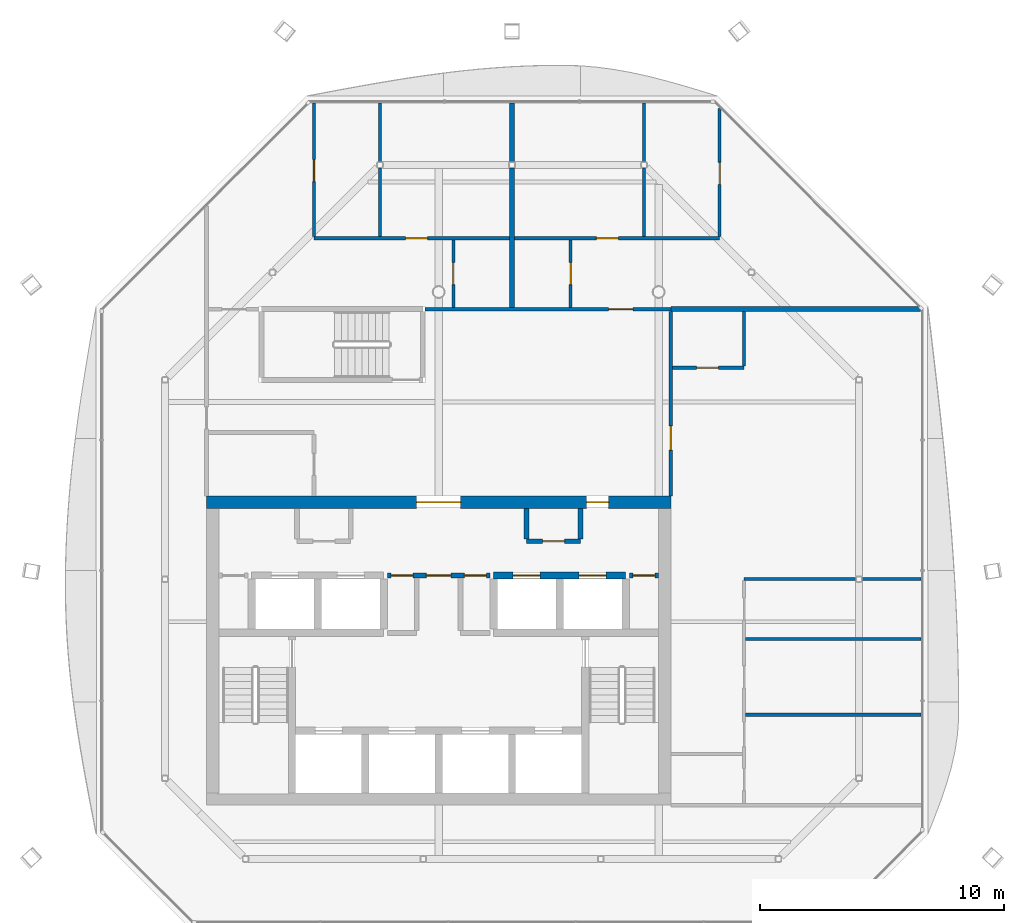
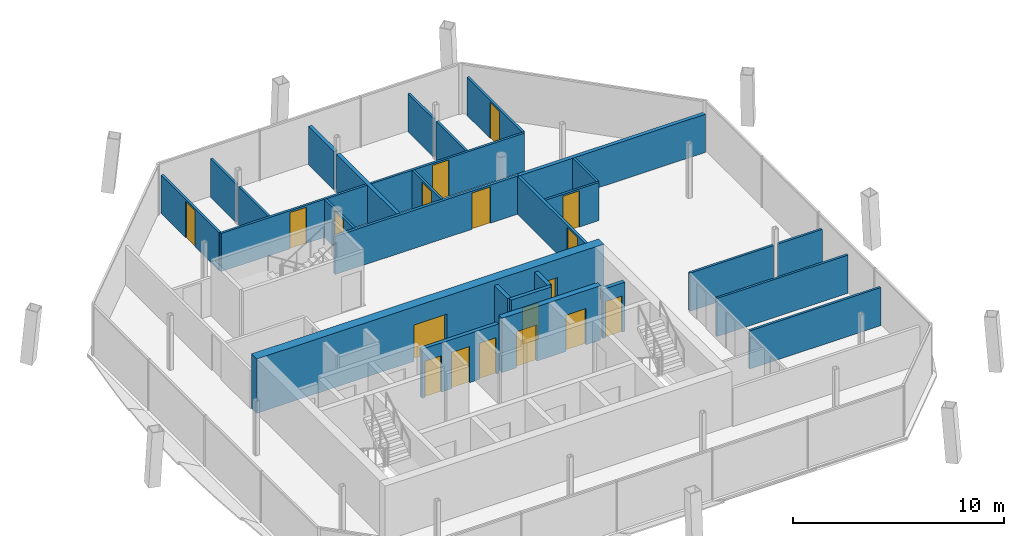
# One storey, part 11 of 16: 27 walls, 18 doors, 18 openings.
"""IFC4 building model written with IfcOpenShell, lengths in metres."""

from ifc_helpers import new_model, si_unit, direction, frame, frame_2d, origin, place, context, subcontext, project, spatial, rectangle, extrude, material, layer, layer_set, type_object, element, fill, save


model = new_model("IFC4")

# Units and contexts
model_context = context("Model", 3, precision=1e-05, world=origin(), true_north=direction((0.0, 1.0)))
body_context = subcontext(model_context, "Body", "Model", "MODEL_VIEW")
ifc_project = project(units=[si_unit("LENGTHUNIT", "METRE"), si_unit("AREAUNIT", "SQUARE_METRE"), si_unit("VOLUMEUNIT", "CUBIC_METRE"), si_unit("PLANEANGLEUNIT", "RADIAN"), si_unit("MASSUNIT", "GRAM", prefix="KILO")], contexts=[model_context])

# Site, building, storey
site_placement = place(None, origin())
site = spatial("IfcSite", under=ifc_project, at=site_placement, CompositionType="ELEMENT")
building_placement = place(site_placement, origin())
building = spatial("IfcBuilding", under=site, at=building_placement, Name="Tskaro Facet Tower", CompositionType="ELEMENT")
storey_placement = place(building_placement, frame((0.0, 0.0, 262.64990234375)))
storey = spatial("IfcBuildingStorey", under=building, at=storey_placement, Name="L69", CompositionType="ELEMENT", Elevation=262.64990234375)

# Wall, openings, doors
ifc_material_1 = material(Name="Concrete C60/75", Category="concrete")
ifc_layer_1 = layer(ifc_material_1, 0.300048828125, Name="Concrete C60/75")
ifc_layer_set_1 = layer_set([ifc_layer_1], Name="Concrete C60/75")
wall_type_1 = type_object("IfcWallType", Name="CORE-SHAFT", PredefinedType="SHEAR", material=ifc_layer_set_1)
wall_1_placement = place(storey_placement, frame((2.25, -2.60009765625, 0.0), z_axis=(0.0, 0.0, 1.0), x_axis=(1.0, 0.0, 0.0)))
wall_1 = element("IfcWall", 1, at=wall_1_placement, inside=storey, type_object=wall_type_1, Name="Shaft wall W015", PredefinedType="SHEAR", context=body_context, shape_type="SweptSolid", body=[
    extrude(rectangle(XDim=5.39990234375, YDim=0.300048828125, at=frame_2d((2.699951171875, 0.0))), origin(), (0.0, 0.0, 1.0), 3.150146484375),
])
opening_1_placement = place(wall_1_placement, frame((0.800048828125, 0.0, 0.0)))
opening_1 = element("IfcOpeningElement", 2, at=opening_1_placement, cuts=wall_1, Name="Opening LD-HB3", PredefinedType="OPENING", context=body_context, shape_type="SweptSolid", body=[
    extrude(rectangle(XDim=1.10009765625, YDim=2.10009765625, at=frame_2d((0.550048828125, 1.050048828125))), frame((0.0, 0.159912109375, 0.0), z_axis=(0.0, -1.0, 0.0), x_axis=(1.0, 0.0, 0.0)), (0.0, 0.0, 1.0), 0.320068359375),
])
opening_2_placement = place(wall_1_placement, frame((3.5, 0.0, 0.0)))
opening_2 = element("IfcOpeningElement", 3, at=opening_2_placement, cuts=wall_1, Name="Opening LD-HB4", PredefinedType="OPENING", context=body_context, shape_type="SweptSolid", body=[
    extrude(rectangle(XDim=1.10009765625, YDim=2.10009765625, at=frame_2d((0.550048828125, 1.050048828125))), frame((0.0, 0.159912109375, 0.0), z_axis=(0.0, -1.0, 0.0), x_axis=(1.0, 0.0, 0.0)), (0.0, 0.0, 1.0), 0.320068359375),
])
ifc_material_2 = material(Name="Stainless steel", Category="steel")
door_type_1 = type_object("IfcDoorType", Name="D-LANDING", OperationType="NOTDEFINED", PredefinedType="DOOR", material=ifc_material_2)
door_1_placement = place(opening_1_placement, origin())
door_1 = element("IfcDoor", 4, at=door_1_placement, inside=storey, type_object=door_type_1, Name="Landing door HB3", OperationType="DOUBLE_DOOR_SLIDING", OverallHeight=2.10009765625, OverallWidth=1.10009765625, PredefinedType="DOOR", context=body_context, shape_type="SweptSolid", body=[
    extrude(rectangle(XDim=1.10009765625, YDim=2.10009765625, at=frame_2d((0.550048828125, 1.050048828125))), frame((0.0, 0.02490234375, 0.0), z_axis=(0.0, -1.0, 0.0), x_axis=(1.0, 0.0, 0.0)), (0.0, 0.0, 1.0), 0.050048828125),
])
fill(opening_1, door_1)
door_2_placement = place(opening_2_placement, origin())
door_2 = element("IfcDoor", 5, at=door_2_placement, inside=storey, type_object=door_type_1, Name="Landing door HB4", OperationType="DOUBLE_DOOR_SLIDING", OverallHeight=2.10009765625, OverallWidth=1.10009765625, PredefinedType="DOOR", context=body_context, shape_type="SweptSolid", body=[
    extrude(rectangle(XDim=1.10009765625, YDim=2.10009765625, at=frame_2d((0.550048828125, 1.050048828125))), frame((0.0, 0.02490234375, 0.0), z_axis=(0.0, -1.0, 0.0), x_axis=(1.0, 0.0, 0.0)), (0.0, 0.0, 1.0), 0.050048828125),
])
fill(opening_2, door_2)

ifc_material_3 = material(Name="Concrete C20/25", Category="concrete")
ifc_layer_2 = layer(ifc_material_3, 0.199951171875, Name="Concrete C20/25")
ifc_layer_set_2 = layer_set([ifc_layer_2], Name="Concrete C20/25")
wall_type_2 = type_object("IfcWallType", Name="CORE-WALL", PredefinedType="SOLIDWALL", material=ifc_layer_set_2)
wall_2_placement = place(storey_placement, frame((2.10009765625, -2.60009765625, 0.0), z_axis=(0.0, 0.0, 1.0), x_axis=(-1.0, 0.0, 0.0)))
wall_2 = element("IfcWall", 6, at=wall_2_placement, inside=storey, type_object=wall_type_2, Name="Core room wall W014", PredefinedType="SOLIDWALL", context=body_context, shape_type="SweptSolid", body=[
    extrude(rectangle(XDim=4.2001953125, YDim=0.199951171875, at=frame_2d((2.10009765625, 0.0))), origin(), (0.0, 0.0, 1.0), 2.85009765625),
])
opening_3_placement = place(wall_2_placement, frame((1.60009765625, 0.0, 0.0)))
opening_3 = element("IfcOpeningElement", 7, at=opening_3_placement, cuts=wall_2, Name="Opening FL-D1", PredefinedType="OPENING", context=body_context, shape_type="SweptSolid", body=[
    extrude(rectangle(XDim=1.0, YDim=2.10009765625, at=frame_2d((0.5, 1.050048828125))), frame((0.0, 0.10986328125, 0.0), z_axis=(0.0, -1.0, 0.0), x_axis=(1.0, 0.0, 0.0)), (0.0, 0.0, 1.0), 0.219970703125),
])
opening_4_placement = place(wall_2_placement, frame((3.14990234375, 0.0, 0.0)))
opening_4 = element("IfcOpeningElement", 8, at=opening_4_placement, cuts=wall_2, Name="Opening T20-D06", PredefinedType="OPENING", context=body_context, shape_type="SweptSolid", body=[
    extrude(rectangle(XDim=0.89990234375, YDim=2.10009765625, at=frame_2d((0.449951171875, 1.050048828125))), frame((0.0, 0.10986328125, 0.0), z_axis=(0.0, -1.0, 0.0), x_axis=(1.0, 0.0, 0.0)), (0.0, 0.0, 1.0), 0.219970703125),
])
opening_5_placement = place(wall_2_placement, frame((0.14990234375, 0.0, 0.0)))
opening_5 = element("IfcOpeningElement", 9, at=opening_5_placement, cuts=wall_2, Name="Opening T20-D07", PredefinedType="OPENING", context=body_context, shape_type="SweptSolid", body=[
    extrude(rectangle(XDim=0.89990234375, YDim=2.10009765625, at=frame_2d((0.449951171875, 1.050048828125))), frame((0.0, 0.10986328125, 0.0), z_axis=(0.0, -1.0, 0.0), x_axis=(1.0, 0.0, 0.0)), (0.0, 0.0, 1.0), 0.219970703125),
])
ifc_material_4 = material(Name="Steel", Category="steel")
door_type_2 = type_object("IfcDoorType", Name="D-LOBBY", OperationType="NOTDEFINED", PredefinedType="DOOR", material=ifc_material_4)
door_3_placement = place(opening_3_placement, origin())
door_3 = element("IfcDoor", 10, at=door_3_placement, inside=storey, type_object=door_type_2, Name="Lobby door FL", OperationType="SINGLE_SWING_RIGHT", OverallHeight=2.10009765625, OverallWidth=1.0, PredefinedType="DOOR", context=body_context, shape_type="SweptSolid", body=[
    extrude(rectangle(XDim=1.0, YDim=2.10009765625, at=frame_2d((0.5, 1.050048828125))), frame((0.0, 0.02490234375, 0.0), z_axis=(0.0, -1.0, 0.0), x_axis=(1.0, 0.0, 0.0)), (0.0, 0.0, 1.0), 0.050048828125),
])
fill(opening_3, door_3)
ifc_material_5 = material(Name="Timber", Category="wood")
door_type_3 = type_object("IfcDoorType", Name="D-ROOM", OperationType="NOTDEFINED", PredefinedType="DOOR", material=ifc_material_5)
door_4_placement = place(opening_4_placement, origin())
door_4 = element("IfcDoor", 11, at=door_4_placement, inside=storey, type_object=door_type_3, Name="Door T20-D06", OperationType="SINGLE_SWING_RIGHT", OverallHeight=2.10009765625, OverallWidth=0.89990234375, PredefinedType="DOOR", context=body_context, shape_type="SweptSolid", body=[
    extrude(rectangle(XDim=0.89990234375, YDim=2.10009765625, at=frame_2d((0.449951171875, 1.050048828125))), frame((0.0, 0.02490234375, 0.0), z_axis=(0.0, -1.0, 0.0), x_axis=(1.0, 0.0, 0.0)), (0.0, 0.0, 1.0), 0.050048828125),
])
fill(opening_4, door_4)
door_5_placement = place(opening_5_placement, origin())
door_5 = element("IfcDoor", 12, at=door_5_placement, inside=storey, type_object=door_type_3, Name="Door T20-D07", OperationType="SINGLE_SWING_RIGHT", OverallHeight=2.10009765625, OverallWidth=0.89990234375, PredefinedType="DOOR", context=body_context, shape_type="SweptSolid", body=[
    extrude(rectangle(XDim=0.89990234375, YDim=2.10009765625, at=frame_2d((0.449951171875, 1.050048828125))), frame((0.0, 0.02490234375, 0.0), z_axis=(0.0, -1.0, 0.0), x_axis=(1.0, 0.0, 0.0)), (0.0, 0.0, 1.0), 0.050048828125),
])
fill(opening_5, door_5)

# Wall, opening, door
wall_3_placement = place(storey_placement, frame((9.0, -2.60009765625, 0.0), z_axis=(0.0, 0.0, 1.0), x_axis=(-1.0, 0.0, 0.0)))
wall_3 = element("IfcWall", 13, at=wall_3_placement, inside=storey, type_object=wall_type_2, Name="Core room wall W016", PredefinedType="SOLIDWALL", context=body_context, shape_type="SweptSolid", body=[
    extrude(rectangle(XDim=1.199951171875, YDim=0.199951171875, at=frame_2d((0.60009765625, 0.0))), origin(), (0.0, 0.0, 1.0), 2.85009765625),
])
opening_6_placement = place(wall_3_placement, frame((0.14990234375, 0.0, 0.0)))
opening_6 = element("IfcOpeningElement", 14, at=opening_6_placement, cuts=wall_3, Name="Opening T20-D08", PredefinedType="OPENING", context=body_context, shape_type="SweptSolid", body=[
    extrude(rectangle(XDim=0.89990234375, YDim=2.10009765625, at=frame_2d((0.449951171875, 1.050048828125))), frame((0.0, 0.10986328125, 0.0), z_axis=(0.0, -1.0, 0.0), x_axis=(1.0, 0.0, 0.0)), (0.0, 0.0, 1.0), 0.219970703125),
])
door_6_placement = place(opening_6_placement, origin())
door_6 = element("IfcDoor", 15, at=door_6_placement, inside=storey, type_object=door_type_3, Name="Door T20-D08", OperationType="SINGLE_SWING_RIGHT", OverallHeight=2.10009765625, OverallWidth=0.89990234375, PredefinedType="DOOR", context=body_context, shape_type="SweptSolid", body=[
    extrude(rectangle(XDim=0.89990234375, YDim=2.10009765625, at=frame_2d((0.449951171875, 1.050048828125))), frame((0.0, 0.02490234375, 0.0), z_axis=(0.0, -1.0, 0.0), x_axis=(1.0, 0.0, 0.0)), (0.0, 0.0, 1.0), 0.050048828125),
])
fill(opening_6, door_6)

wall_4_placement = place(storey_placement, frame((3.60009765625, -1.199951171875, 0.0), z_axis=(0.0, 0.0, 1.0), x_axis=(1.0, 0.0, 0.0)))
wall_4 = element("IfcWall", 16, at=wall_4_placement, inside=storey, type_object=wall_type_2, Name="Core room wall W018", PredefinedType="SOLIDWALL", context=body_context, shape_type="SweptSolid", body=[
    extrude(rectangle(XDim=2.199951171875, YDim=0.199951171875, at=frame_2d((1.10009765625, 0.0))), origin(), (0.0, 0.0, 1.0), 2.85009765625),
])
opening_7_placement = place(wall_4_placement, frame((0.64990234375, 0.0, 0.0)))
opening_7 = element("IfcOpeningElement", 17, at=opening_7_placement, cuts=wall_4, Name="Opening T20-D10", PredefinedType="OPENING", context=body_context, shape_type="SweptSolid", body=[
    extrude(rectangle(XDim=0.89990234375, YDim=2.10009765625, at=frame_2d((0.449951171875, 1.050048828125))), frame((0.0, 0.10986328125, 0.0), z_axis=(0.0, -1.0, 0.0), x_axis=(1.0, 0.0, 0.0)), (0.0, 0.0, 1.0), 0.219970703125),
])
door_7_placement = place(opening_7_placement, origin())
door_7 = element("IfcDoor", 18, at=door_7_placement, inside=storey, type_object=door_type_3, Name="Door T20-D10", OperationType="SINGLE_SWING_LEFT", OverallHeight=2.10009765625, OverallWidth=0.89990234375, PredefinedType="DOOR", context=body_context, shape_type="SweptSolid", body=[
    extrude(rectangle(XDim=0.89990234375, YDim=2.10009765625, at=frame_2d((0.449951171875, 1.050048828125))), frame((0.0, 0.02490234375, 0.0), z_axis=(0.0, -1.0, 0.0), x_axis=(1.0, 0.0, 0.0)), (0.0, 0.0, 1.0), 0.050048828125),
])
fill(opening_7, door_7)

# Walls
for number, where, z_axis, x_axis, name in (
    (19, (3.60009765625, -1.10009765625, 0.0), (0.0, 0.0, 1.0), (0.0, 1.0, 0.0), "Core room wall W049"),
    (20, (5.800048828125, -1.10009765625, 0.0), (0.0, 0.0, 1.0), (0.0, 1.0, 0.0), "Core room wall W052"),
):
    element("IfcWall", number, at=place(storey_placement, frame(where, z_axis=z_axis, x_axis=x_axis)), inside=storey, type_object=wall_type_2, Name=name, PredefinedType="SOLIDWALL", context=body_context, shape_type="SweptSolid", body=[
        extrude(rectangle(XDim=1.25, YDim=0.199951171875, at=frame_2d((0.625, 0.0))), origin(), (0.0, 0.0, 1.0), 2.85009765625),
    ])

# Wall, openings, doors
ifc_material_6 = material(Name="Concrete C40/50", Category="concrete")
ifc_layer_3 = layer(ifc_material_6, 0.5, Name="Concrete C40/50")
ifc_layer_set_3 = layer_set([ifc_layer_3], Name="Concrete C40/50")
wall_type_3 = type_object("IfcWallType", Name="Core wall 500", PredefinedType="SHEAR", material=ifc_layer_set_3)
wall_5_placement = place(storey_placement, frame((-9.5, 0.39990234375, 0.0), z_axis=(0.0, 0.0, 1.0), x_axis=(1.0, 0.0, 0.0)))
wall_5 = element("IfcWall", 21, at=wall_5_placement, inside=storey, type_object=wall_type_3, Name="Core wall CW-Z3N", PredefinedType="SHEAR", context=body_context, shape_type="SweptSolid", body=[
    extrude(rectangle(XDim=19.0, YDim=0.5, at=frame_2d((9.5, 0.0))), origin(), (0.0, 0.0, 1.0), 3.150146484375),
])
opening_8_placement = place(wall_5_placement, frame((8.60009765625, 0.0, 0.0)))
opening_8 = element("IfcOpeningElement", 22, at=opening_8_placement, cuts=wall_5, Name="Opening T20-D11", PredefinedType="OPENING", context=body_context, shape_type="SweptSolid", body=[
    extrude(rectangle(XDim=1.800048828125, YDim=2.10009765625, at=frame_2d((0.89990234375, 1.050048828125))), frame((0.0, 0.260009765625, 0.0), z_axis=(0.0, -1.0, 0.0), x_axis=(1.0, 0.0, 0.0)), (0.0, 0.0, 1.0), 0.52001953125),
])
opening_9_placement = place(wall_5_placement, frame((15.550048828125, 0.0, 0.0)))
opening_9 = element("IfcOpeningElement", 23, at=opening_9_placement, cuts=wall_5, Name="Opening T20-D12", PredefinedType="OPENING", context=body_context, shape_type="SweptSolid", body=[
    extrude(rectangle(XDim=0.89990234375, YDim=2.10009765625, at=frame_2d((0.449951171875, 1.050048828125))), frame((0.0, 0.260009765625, 0.0), z_axis=(0.0, -1.0, 0.0), x_axis=(1.0, 0.0, 0.0)), (0.0, 0.0, 1.0), 0.52001953125),
])
door_type_4 = type_object("IfcDoorType", Name="D-CORE-PAIR", OperationType="NOTDEFINED", PredefinedType="DOOR", material=ifc_material_4)
door_8_placement = place(opening_8_placement, origin())
door_8 = element("IfcDoor", 24, at=door_8_placement, inside=storey, type_object=door_type_4, Name="Door T20-D11", OperationType="DOUBLE_DOOR_SINGLE_SWING", OverallHeight=2.10009765625, OverallWidth=1.800048828125, PredefinedType="DOOR", context=body_context, shape_type="SweptSolid", body=[
    extrude(rectangle(XDim=1.800048828125, YDim=2.10009765625, at=frame_2d((0.89990234375, 1.050048828125))), frame((0.0, 0.02490234375, 0.0), z_axis=(0.0, -1.0, 0.0), x_axis=(1.0, 0.0, 0.0)), (0.0, 0.0, 1.0), 0.050048828125),
])
fill(opening_8, door_8)
door_9_placement = place(opening_9_placement, origin())
door_9 = element("IfcDoor", 25, at=door_9_placement, inside=storey, type_object=door_type_3, Name="Door T20-D12", OperationType="SINGLE_SWING_LEFT", OverallHeight=2.10009765625, OverallWidth=0.89990234375, PredefinedType="DOOR", context=body_context, shape_type="SweptSolid", body=[
    extrude(rectangle(XDim=0.89990234375, YDim=2.10009765625, at=frame_2d((0.449951171875, 1.050048828125))), frame((0.0, 0.02490234375, 0.0), z_axis=(0.0, -1.0, 0.0), x_axis=(1.0, 0.0, 0.0)), (0.0, 0.0, 1.0), 0.050048828125),
])
fill(opening_9, door_9)

# Walls
ifc_material_7 = material(Name="Gypsum board on steel studs", Category="steel")
ifc_layer_4 = layer(ifc_material_7, 0.125, Name="Gypsum board on steel studs")
ifc_layer_set_4 = layer_set([ifc_layer_4], Name="Gypsum board on steel studs")
wall_type_4 = type_object("IfcWallType", Name="PART", PredefinedType="PARTITIONING", material=ifc_layer_set_4)
for number, where, z_axis, x_axis, name in (
    (26, (12.5625, -8.300048828125, 0.0), (0.0, 0.0, 1.0), (1.0, 0.0, 0.0), "Partition W004"),
    (27, (12.5625, -5.199951171875, 0.0), (0.0, 0.0, 1.0), (1.0, 0.0, 0.0), "Partition W005"),
):
    element("IfcWall", number, at=place(storey_placement, frame(where, z_axis=z_axis, x_axis=x_axis)), inside=storey, type_object=wall_type_4, Name=name, PredefinedType="PARTITIONING", context=body_context, shape_type="SweptSolid", body=[
        extrude(rectangle(XDim=7.180419921875, YDim=0.125, at=frame_2d((3.59033203125, 0.0))), origin(), (0.0, 0.0, 1.0), 2.210205078125),
    ])
wall_6_placement = place(storey_placement, frame((12.5, -2.75, 0.0), z_axis=(0.0, 0.0, 1.0), x_axis=(1.0, 0.0, 0.0)))
element("IfcWall", 28, at=wall_6_placement, inside=storey, type_object=wall_type_4, Name="Partition W010", PredefinedType="PARTITIONING", context=body_context, shape_type="SweptSolid", body=[
    extrude(rectangle(XDim=4.574951171875, YDim=0.125, at=frame_2d((2.28759765625, 0.0))), origin(), (0.0, 0.0, 1.0), 2.210205078125),
])
wall_7_placement = place(storey_placement, frame((17.324951171875, -2.75, 0.0), z_axis=(0.0, 0.0, 1.0), x_axis=(1.0, 0.0, 0.0)))
element("IfcWall", 29, at=wall_7_placement, inside=storey, type_object=wall_type_4, Name="Partition W011", PredefinedType="PARTITIONING", context=body_context, shape_type="SweptSolid", body=[
    extrude(rectangle(XDim=2.41796875, YDim=0.125, at=frame_2d((1.208984375, 0.0))), origin(), (0.0, 0.0, 1.0), 2.210205078125),
])

# Wall, opening, door
wall_8_placement = place(storey_placement, frame((9.574951171875, 5.89990234375, 0.0), z_axis=(0.0, 0.0, 1.0), x_axis=(1.0, 0.0, 0.0)))
wall_8 = element("IfcWall", 30, at=wall_8_placement, inside=storey, type_object=wall_type_4, Name="Partition W021", PredefinedType="PARTITIONING", context=body_context, shape_type="SweptSolid", body=[
    extrude(rectangle(XDim=2.925048828125, YDim=0.125, at=frame_2d((1.46240234375, 0.0))), origin(), (0.0, 0.0, 1.0), 2.210205078125),
])
opening_10_placement = place(wall_8_placement, frame((0.97509765625, 0.0, 0.0)))
opening_10 = element("IfcOpeningElement", 31, at=opening_10_placement, cuts=wall_8, Name="Opening T20-D16", PredefinedType="OPENING", context=body_context, shape_type="SweptSolid", body=[
    extrude(rectangle(XDim=0.89990234375, YDim=2.10009765625, at=frame_2d((0.449951171875, 1.050048828125))), frame((0.0, 0.072509765625, 0.0), z_axis=(0.0, -1.0, 0.0), x_axis=(1.0, 0.0, 0.0)), (0.0, 0.0, 1.0), 0.14501953125),
])
door_10_placement = place(opening_10_placement, origin())
door_10 = element("IfcDoor", 32, at=door_10_placement, inside=storey, type_object=door_type_3, Name="Door T20-D16", OperationType="SINGLE_SWING_LEFT", OverallHeight=2.10009765625, OverallWidth=0.89990234375, PredefinedType="DOOR", context=body_context, shape_type="SweptSolid", body=[
    extrude(rectangle(XDim=0.89990234375, YDim=2.10009765625, at=frame_2d((0.449951171875, 1.050048828125))), frame((0.0, 0.02490234375, 0.0), z_axis=(0.0, -1.0, 0.0), x_axis=(1.0, 0.0, 0.0)), (0.0, 0.0, 1.0), 0.050048828125),
])
fill(opening_10, door_10)

# Wall, openings, doors
wall_9_placement = place(storey_placement, frame((-5.10009765625, 11.199951171875, 0.0), z_axis=(0.0, 0.0, 1.0), x_axis=(1.0, 0.0, 0.0)))
wall_9 = element("IfcWall", 33, at=wall_9_placement, inside=storey, type_object=wall_type_4, Name="Partition W026", PredefinedType="PARTITIONING", context=body_context, shape_type="SweptSolid", body=[
    extrude(rectangle(XDim=16.60009765625, YDim=0.125, at=frame_2d((8.300048828125, 0.0))), origin(), (0.0, 0.0, 1.0), 2.210205078125),
])
opening_11_placement = place(wall_9_placement, frame((3.74755859375, 0.0, 0.0)))
opening_11 = element("IfcOpeningElement", 34, at=opening_11_placement, cuts=wall_9, Name="Opening T20-D21", PredefinedType="OPENING", context=body_context, shape_type="SweptSolid", body=[
    extrude(rectangle(XDim=0.89990234375, YDim=2.10009765625, at=frame_2d((0.449951171875, 1.050048828125))), frame((0.0, 0.072509765625, 0.0), z_axis=(0.0, -1.0, 0.0), x_axis=(1.0, 0.0, 0.0)), (0.0, 0.0, 1.0), 0.14501953125),
])
opening_12_placement = place(wall_9_placement, frame((11.552490234375, 0.0, 0.0)))
opening_12 = element("IfcOpeningElement", 35, at=opening_12_placement, cuts=wall_9, Name="Opening T20-D22", PredefinedType="OPENING", context=body_context, shape_type="SweptSolid", body=[
    extrude(rectangle(XDim=0.89990234375, YDim=2.10009765625, at=frame_2d((0.449951171875, 1.050048828125))), frame((0.0, 0.072509765625, 0.0), z_axis=(0.0, -1.0, 0.0), x_axis=(1.0, 0.0, 0.0)), (0.0, 0.0, 1.0), 0.14501953125),
])
door_11_placement = place(opening_11_placement, origin())
door_11 = element("IfcDoor", 36, at=door_11_placement, inside=storey, type_object=door_type_3, Name="Door T20-D21", OperationType="SINGLE_SWING_LEFT", OverallHeight=2.10009765625, OverallWidth=0.89990234375, PredefinedType="DOOR", context=body_context, shape_type="SweptSolid", body=[
    extrude(rectangle(XDim=0.89990234375, YDim=2.10009765625, at=frame_2d((0.449951171875, 1.050048828125))), frame((0.0, 0.02490234375, 0.0), z_axis=(0.0, -1.0, 0.0), x_axis=(1.0, 0.0, 0.0)), (0.0, 0.0, 1.0), 0.050048828125),
])
fill(opening_11, door_11)
door_12_placement = place(opening_12_placement, origin())
door_12 = element("IfcDoor", 37, at=door_12_placement, inside=storey, type_object=door_type_3, Name="Door T20-D22", OperationType="SINGLE_SWING_LEFT", OverallHeight=2.10009765625, OverallWidth=0.89990234375, PredefinedType="DOOR", context=body_context, shape_type="SweptSolid", body=[
    extrude(rectangle(XDim=0.89990234375, YDim=2.10009765625, at=frame_2d((0.449951171875, 1.050048828125))), frame((0.0, 0.02490234375, 0.0), z_axis=(0.0, -1.0, 0.0), x_axis=(1.0, 0.0, 0.0)), (0.0, 0.0, 1.0), 0.050048828125),
])
fill(opening_12, door_12)

# Wall, opening, door
wall_10_placement = place(storey_placement, frame((-5.10009765625, 16.742919921875, 0.0), z_axis=(0.0, 0.0, 1.0), x_axis=(0.0, -1.0, 0.0)))
wall_10 = element("IfcWall", 38, at=wall_10_placement, inside=storey, type_object=wall_type_4, Name="Partition W033", PredefinedType="PARTITIONING", context=body_context, shape_type="SweptSolid", body=[
    extrude(rectangle(XDim=5.48046875, YDim=0.125, at=frame_2d((2.740234375, 0.0))), origin(), (0.0, 0.0, 1.0), 2.210205078125),
])
opening_13_placement = place(wall_10_placement, frame((2.321533203125, 0.0, 0.0)))
opening_13 = element("IfcOpeningElement", 39, at=opening_13_placement, cuts=wall_10, Name="Opening T20-D24", PredefinedType="OPENING", context=body_context, shape_type="SweptSolid", body=[
    extrude(rectangle(XDim=0.89990234375, YDim=2.10009765625, at=frame_2d((0.449951171875, 1.050048828125))), frame((0.0, 0.072509765625, 0.0), z_axis=(0.0, -1.0, 0.0), x_axis=(1.0, 0.0, 0.0)), (0.0, 0.0, 1.0), 0.14501953125),
])
door_13_placement = place(opening_13_placement, origin())
door_13 = element("IfcDoor", 40, at=door_13_placement, inside=storey, type_object=door_type_3, Name="Door T20-D24", OperationType="SINGLE_SWING_RIGHT", OverallHeight=2.10009765625, OverallWidth=0.89990234375, PredefinedType="DOOR", context=body_context, shape_type="SweptSolid", body=[
    extrude(rectangle(XDim=0.89990234375, YDim=2.10009765625, at=frame_2d((0.449951171875, 1.050048828125))), frame((0.0, 0.02490234375, 0.0), z_axis=(0.0, -1.0, 0.0), x_axis=(1.0, 0.0, 0.0)), (0.0, 0.0, 1.0), 0.050048828125),
])
fill(opening_13, door_13)

# Walls
wall_11_placement = place(storey_placement, frame((-2.405029296875, 11.262451171875, 0.0), z_axis=(0.0, 0.0, 1.0), x_axis=(0.0, 1.0, 0.0)))
element("IfcWall", 41, at=wall_11_placement, inside=storey, type_object=wall_type_4, Name="Partition W037", PredefinedType="PARTITIONING", context=body_context, shape_type="SweptSolid", body=[
    extrude(rectangle(XDim=2.8125, YDim=0.125, at=frame_2d((1.40625, 0.0))), origin(), (0.0, 0.0, 1.0), 2.210205078125),
])
wall_12_placement = place(storey_placement, frame((-2.405029296875, 14.324951171875, 0.0), z_axis=(0.0, 0.0, 1.0), x_axis=(0.0, 1.0, 0.0)))
element("IfcWall", 42, at=wall_12_placement, inside=storey, type_object=wall_type_4, Name="Partition W038", PredefinedType="PARTITIONING", context=body_context, shape_type="SweptSolid", body=[
    extrude(rectangle(XDim=2.41796875, YDim=0.125, at=frame_2d((1.208984375, 0.0))), origin(), (0.0, 0.0, 1.0), 2.210205078125),
])

# Wall, opening, door
wall_13_placement = place(storey_placement, frame((0.60009765625, 11.137451171875, 0.0), z_axis=(0.0, 0.0, 1.0), x_axis=(0.0, -1.0, 0.0)))
wall_13 = element("IfcWall", 43, at=wall_13_placement, inside=storey, type_object=wall_type_4, Name="Partition W043", PredefinedType="PARTITIONING", context=body_context, shape_type="SweptSolid", body=[
    extrude(rectangle(XDim=2.762451171875, YDim=0.125, at=frame_2d((1.38134765625, 0.0))), origin(), (0.0, 0.0, 1.0), 2.210205078125),
])
opening_14_placement = place(wall_13_placement, frame((0.9375, 0.0, 0.0)))
opening_14 = element("IfcOpeningElement", 44, at=opening_14_placement, cuts=wall_13, Name="Opening T20-D19", PredefinedType="OPENING", context=body_context, shape_type="SweptSolid", body=[
    extrude(rectangle(XDim=0.89990234375, YDim=2.10009765625, at=frame_2d((0.449951171875, 1.050048828125))), frame((0.0, 0.072509765625, 0.0), z_axis=(0.0, -1.0, 0.0), x_axis=(1.0, 0.0, 0.0)), (0.0, 0.0, 1.0), 0.14501953125),
])
door_14_placement = place(opening_14_placement, origin())
door_14 = element("IfcDoor", 45, at=door_14_placement, inside=storey, type_object=door_type_3, Name="Door T20-D19", OperationType="SINGLE_SWING_RIGHT", OverallHeight=2.10009765625, OverallWidth=0.89990234375, PredefinedType="DOOR", context=body_context, shape_type="SweptSolid", body=[
    extrude(rectangle(XDim=0.89990234375, YDim=2.10009765625, at=frame_2d((0.449951171875, 1.050048828125))), frame((0.0, 0.02490234375, 0.0), z_axis=(0.0, -1.0, 0.0), x_axis=(1.0, 0.0, 0.0)), (0.0, 0.0, 1.0), 0.050048828125),
])
fill(opening_14, door_14)

wall_14_placement = place(storey_placement, frame((5.39990234375, 8.375, 0.0), z_axis=(0.0, 0.0, 1.0), x_axis=(0.0, 1.0, 0.0)))
wall_14 = element("IfcWall", 46, at=wall_14_placement, inside=storey, type_object=wall_type_4, Name="Partition W051", PredefinedType="PARTITIONING", context=body_context, shape_type="SweptSolid", body=[
    extrude(rectangle(XDim=2.762451171875, YDim=0.125, at=frame_2d((1.38134765625, 0.0))), origin(), (0.0, 0.0, 1.0), 2.210205078125),
])
opening_15_placement = place(wall_14_placement, frame((0.925048828125, 0.0, 0.0)))
opening_15 = element("IfcOpeningElement", 47, at=opening_15_placement, cuts=wall_14, Name="Opening T20-D20", PredefinedType="OPENING", context=body_context, shape_type="SweptSolid", body=[
    extrude(rectangle(XDim=0.89990234375, YDim=2.10009765625, at=frame_2d((0.449951171875, 1.050048828125))), frame((0.0, 0.072509765625, 0.0), z_axis=(0.0, -1.0, 0.0), x_axis=(1.0, 0.0, 0.0)), (0.0, 0.0, 1.0), 0.14501953125),
])
door_15_placement = place(opening_15_placement, origin())
door_15 = element("IfcDoor", 48, at=door_15_placement, inside=storey, type_object=door_type_3, Name="Door T20-D20", OperationType="SINGLE_SWING_LEFT", OverallHeight=2.10009765625, OverallWidth=0.89990234375, PredefinedType="DOOR", context=body_context, shape_type="SweptSolid", body=[
    extrude(rectangle(XDim=0.89990234375, YDim=2.10009765625, at=frame_2d((0.449951171875, 1.050048828125))), frame((0.0, 0.02490234375, 0.0), z_axis=(0.0, -1.0, 0.0), x_axis=(1.0, 0.0, 0.0)), (0.0, 0.0, 1.0), 0.050048828125),
])
fill(opening_15, door_15)

# Walls
wall_15_placement = place(storey_placement, frame((8.405029296875, 11.262451171875, 0.0), z_axis=(0.0, 0.0, 1.0), x_axis=(0.0, 1.0, 0.0)))
element("IfcWall", 49, at=wall_15_placement, inside=storey, type_object=wall_type_4, Name="Partition W055", PredefinedType="PARTITIONING", context=body_context, shape_type="SweptSolid", body=[
    extrude(rectangle(XDim=2.8125, YDim=0.125, at=frame_2d((1.40625, 0.0))), origin(), (0.0, 0.0, 1.0), 2.210205078125),
])
wall_16_placement = place(storey_placement, frame((8.405029296875, 14.324951171875, 0.0), z_axis=(0.0, 0.0, 1.0), x_axis=(0.0, 1.0, 0.0)))
element("IfcWall", 50, at=wall_16_placement, inside=storey, type_object=wall_type_4, Name="Partition W056", PredefinedType="PARTITIONING", context=body_context, shape_type="SweptSolid", body=[
    extrude(rectangle(XDim=2.41796875, YDim=0.125, at=frame_2d((1.208984375, 0.0))), origin(), (0.0, 0.0, 1.0), 2.210205078125),
])

# Wall, opening, door
wall_17_placement = place(storey_placement, frame((11.5, 11.262451171875, 0.0), z_axis=(0.0, 0.0, 1.0), x_axis=(0.0, 1.0, 0.0)))
wall_17 = element("IfcWall", 51, at=wall_17_placement, inside=storey, type_object=wall_type_4, Name="Partition W058", PredefinedType="PARTITIONING", context=body_context, shape_type="SweptSolid", body=[
    extrude(rectangle(XDim=5.24755859375, YDim=0.125, at=frame_2d((2.623779296875, 0.0))), origin(), (0.0, 0.0, 1.0), 2.210205078125),
])
opening_16_placement = place(wall_17_placement, frame((2.142578125, 0.0, 0.0)))
opening_16 = element("IfcOpeningElement", 52, at=opening_16_placement, cuts=wall_17, Name="Opening T20-D23", PredefinedType="OPENING", context=body_context, shape_type="SweptSolid", body=[
    extrude(rectangle(XDim=0.89990234375, YDim=2.10009765625, at=frame_2d((0.449951171875, 1.050048828125))), frame((0.0, 0.072509765625, 0.0), z_axis=(0.0, -1.0, 0.0), x_axis=(1.0, 0.0, 0.0)), (0.0, 0.0, 1.0), 0.14501953125),
])
door_16_placement = place(opening_16_placement, origin())
door_16 = element("IfcDoor", 53, at=door_16_placement, inside=storey, type_object=door_type_3, Name="Door T20-D23", OperationType="SINGLE_SWING_LEFT", OverallHeight=2.10009765625, OverallWidth=0.89990234375, PredefinedType="DOOR", context=body_context, shape_type="SweptSolid", body=[
    extrude(rectangle(XDim=0.89990234375, YDim=2.10009765625, at=frame_2d((0.449951171875, 1.050048828125))), frame((0.0, 0.02490234375, 0.0), z_axis=(0.0, -1.0, 0.0), x_axis=(1.0, 0.0, 0.0)), (0.0, 0.0, 1.0), 0.050048828125),
])
fill(opening_16, door_16)

# Wall
wall_18_placement = place(storey_placement, frame((12.5, 5.96240234375, 0.0), z_axis=(0.0, 0.0, 1.0), x_axis=(0.0, 1.0, 0.0)))
element("IfcWall", 54, at=wall_18_placement, inside=storey, type_object=wall_type_4, Name="Partition W060", PredefinedType="PARTITIONING", context=body_context, shape_type="SweptSolid", body=[
    extrude(rectangle(XDim=2.237548828125, YDim=0.125, at=frame_2d((1.11865234375, 0.0))), origin(), (0.0, 0.0, 1.0), 2.210205078125),
])

# Wall, opening, door
ifc_layer_5 = layer(ifc_material_7, 0.14990234375, Name="Gypsum board on steel studs")
ifc_layer_set_5 = layer_set([ifc_layer_5], Name="Gypsum board on steel studs")
wall_type_5 = type_object("IfcWallType", Name="PART-CORR", PredefinedType="PARTITIONING", material=ifc_layer_set_5)
wall_19_placement = place(storey_placement, frame((-0.550048828125, 8.300048828125, 0.0), z_axis=(0.0, 0.0, 1.0), x_axis=(1.0, 0.0, 0.0)))
wall_19 = element("IfcWall", 55, at=wall_19_placement, inside=storey, type_object=wall_type_5, Name="Corridor wall W024", PredefinedType="PARTITIONING", context=body_context, shape_type="SweptSolid", body=[
    extrude(rectangle(XDim=10.050048828125, YDim=0.14990234375, at=frame_2d((5.02490234375, 0.0))), origin(), (0.0, 0.0, 1.0), 2.210205078125),
])
opening_17_placement = place(wall_19_placement, frame((7.5, 0.0, 0.0)))
opening_17 = element("IfcOpeningElement", 56, at=opening_17_placement, cuts=wall_19, Name="Opening T20-D18", PredefinedType="OPENING", context=body_context, shape_type="SweptSolid", body=[
    extrude(rectangle(XDim=1.0, YDim=2.10009765625, at=frame_2d((0.5, 1.050048828125))), frame((0.0, 0.0849609375, 0.0), z_axis=(0.0, -1.0, 0.0), x_axis=(1.0, 0.0, 0.0)), (0.0, 0.0, 1.0), 0.169921875),
])
door_type_5 = type_object("IfcDoorType", Name="D-FLAT-ENTRY", OperationType="NOTDEFINED", PredefinedType="DOOR", material=ifc_material_5)
door_17_placement = place(opening_17_placement, origin())
door_17 = element("IfcDoor", 57, at=door_17_placement, inside=storey, type_object=door_type_5, Name="Door T20-D18", OperationType="SINGLE_SWING_LEFT", OverallHeight=2.10009765625, OverallWidth=1.0, PredefinedType="DOOR", context=body_context, shape_type="SweptSolid", body=[
    extrude(rectangle(XDim=1.0, YDim=2.10009765625, at=frame_2d((0.5, 1.050048828125))), frame((0.0, 0.02490234375, 0.0), z_axis=(0.0, -1.0, 0.0), x_axis=(1.0, 0.0, 0.0)), (0.0, 0.0, 1.0), 0.050048828125),
])
fill(opening_17, door_17)

wall_20_placement = place(storey_placement, frame((9.5, 8.199951171875, 0.0), z_axis=(0.0, 0.0, 1.0), x_axis=(0.0, -1.0, 0.0)))
wall_20 = element("IfcWall", 58, at=wall_20_placement, inside=storey, type_object=wall_type_5, Name="Corridor wall W057", PredefinedType="PARTITIONING", context=body_context, shape_type="SweptSolid", body=[
    extrude(rectangle(XDim=7.550048828125, YDim=0.14990234375, at=frame_2d((3.77490234375, 0.0))), origin(), (0.0, 0.0, 1.0), 2.210205078125),
])
opening_18_placement = place(wall_20_placement, frame((4.675048828125, 0.0, 0.0)))
opening_18 = element("IfcOpeningElement", 59, at=opening_18_placement, cuts=wall_20, Name="Opening T20-D14", PredefinedType="OPENING", context=body_context, shape_type="SweptSolid", body=[
    extrude(rectangle(XDim=1.0, YDim=2.10009765625, at=frame_2d((0.5, 1.050048828125))), frame((0.0, 0.0849609375, 0.0), z_axis=(0.0, -1.0, 0.0), x_axis=(1.0, 0.0, 0.0)), (0.0, 0.0, 1.0), 0.169921875),
])
door_18_placement = place(opening_18_placement, origin())
door_18 = element("IfcDoor", 60, at=door_18_placement, inside=storey, type_object=door_type_5, Name="Door T20-D14", OperationType="SINGLE_SWING_LEFT", OverallHeight=2.10009765625, OverallWidth=1.0, PredefinedType="DOOR", context=body_context, shape_type="SweptSolid", body=[
    extrude(rectangle(XDim=1.0, YDim=2.10009765625, at=frame_2d((0.5, 1.050048828125))), frame((0.0, 0.02490234375, 0.0), z_axis=(0.0, -1.0, 0.0), x_axis=(1.0, 0.0, 0.0)), (0.0, 0.0, 1.0), 0.050048828125),
])
fill(opening_18, door_18)

# Walls
ifc_layer_6 = layer(ifc_material_7, 0.199951171875, Name="Gypsum board on steel studs")
ifc_layer_set_6 = layer_set([ifc_layer_6], Name="Gypsum board on steel studs")
wall_type_6 = type_object("IfcWallType", Name="PART-DEMISING", PredefinedType="PARTITIONING", material=ifc_layer_set_6)
wall_21_placement = place(storey_placement, frame((9.5, 8.300048828125, 0.0), z_axis=(0.0, 0.0, 1.0), x_axis=(1.0, 0.0, 0.0)))
element("IfcWall", 61, at=wall_21_placement, inside=storey, type_object=wall_type_6, Name="Guest room wall W025", PredefinedType="PARTITIONING", context=body_context, shape_type="SweptSolid", body=[
    extrude(rectangle(XDim=10.2099609375, YDim=0.199951171875, at=frame_2d((5.10498046875, 0.0))), origin(), (0.0, 0.0, 1.0), 2.210205078125),
])
wall_22_placement = place(storey_placement, frame((3.0, 8.375, 0.0), z_axis=(0.0, 0.0, 1.0), x_axis=(0.0, 1.0, 0.0)))
element("IfcWall", 62, at=wall_22_placement, inside=storey, type_object=wall_type_6, Name="Guest room wall W047", PredefinedType="PARTITIONING", context=body_context, shape_type="SweptSolid", body=[
    extrude(rectangle(XDim=5.699951171875, YDim=0.199951171875, at=frame_2d((2.85009765625, 0.0))), origin(), (0.0, 0.0, 1.0), 2.210205078125),
])
wall_23_placement = place(storey_placement, frame((3.0, 14.324951171875, 0.0), z_axis=(0.0, 0.0, 1.0), x_axis=(0.0, 1.0, 0.0)))
element("IfcWall", 63, at=wall_23_placement, inside=storey, type_object=wall_type_6, Name="Guest room wall W048", PredefinedType="PARTITIONING", context=body_context, shape_type="SweptSolid", body=[
    extrude(rectangle(XDim=2.41796875, YDim=0.199951171875, at=frame_2d((1.208984375, 0.0))), origin(), (0.0, 0.0, 1.0), 2.210205078125),
])

save(model, "model.ifc")
